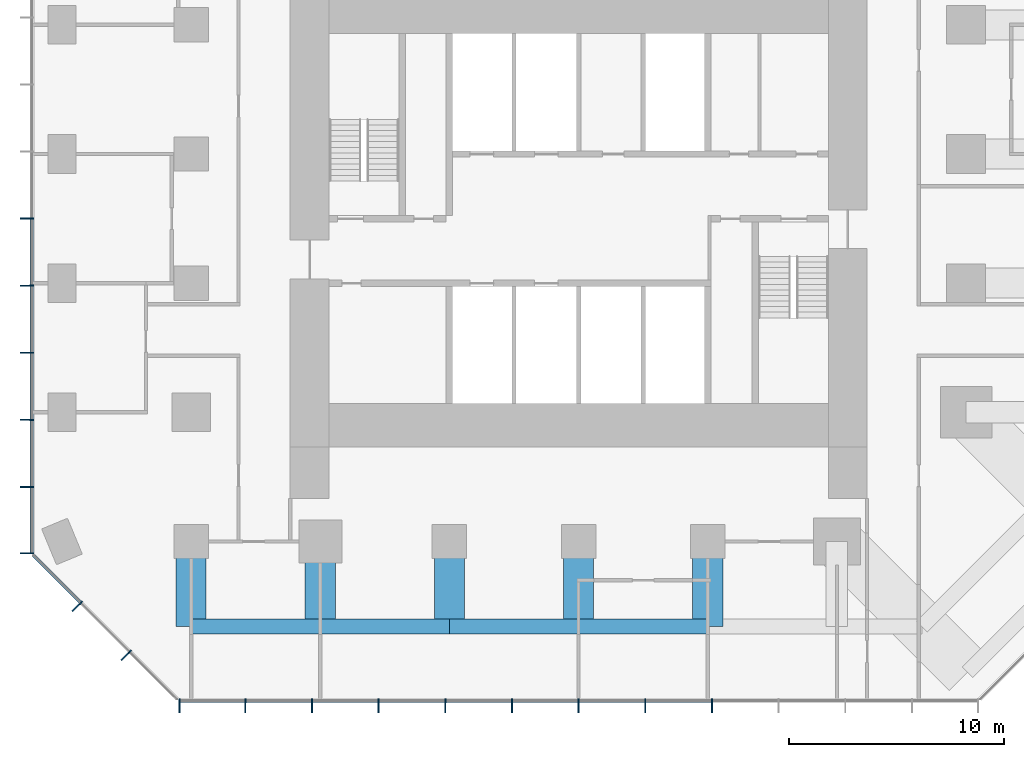
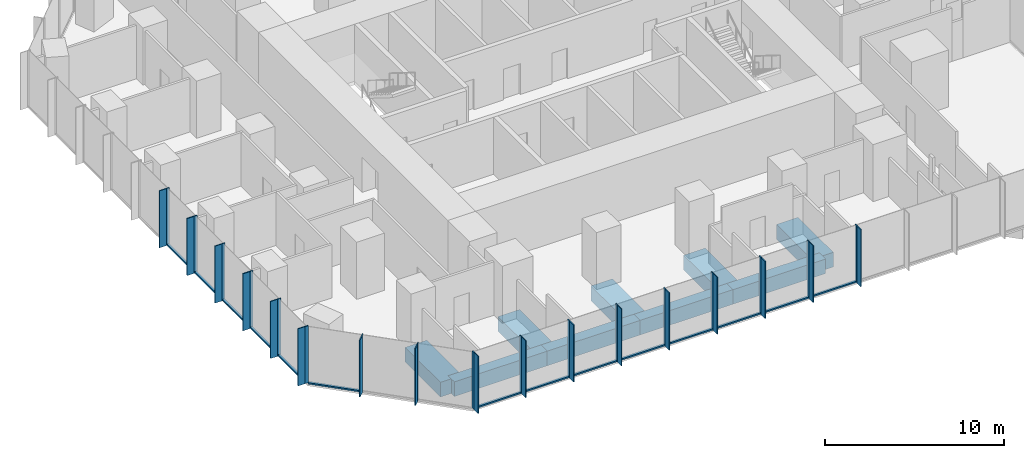
# One storey, part 2 of 11: 48 members, 9 beams, 3 elements without a shape of their own.
"""IFC4 building model written with IfcOpenShell, lengths in metres."""

from ifc_helpers import new_model, si_unit, direction, frame, origin, origin_2d, place, context, subcontext, project, spatial, rectangle, extrude, material, layer, layer_set, material_profile, profile_set, type_object, element, aggregate, save


model = new_model("IFC4")

# Units and contexts
model_context = context("Model", 3, precision=1e-05, world=origin(), true_north=direction((0.0, 1.0)))
body_context = subcontext(model_context, "Body", "Model", "MODEL_VIEW")
ifc_project = project(units=[si_unit("LENGTHUNIT", "METRE"), si_unit("AREAUNIT", "SQUARE_METRE"), si_unit("VOLUMEUNIT", "CUBIC_METRE"), si_unit("PLANEANGLEUNIT", "RADIAN"), si_unit("MASSUNIT", "GRAM", prefix="KILO")], contexts=[model_context])

# Site, building, storey
site_placement = place(None, origin())
site = spatial("IfcSite", under=ifc_project, at=site_placement, CompositionType="ELEMENT")
building_placement = place(site_placement, origin())
building = spatial("IfcBuilding", under=site, at=building_placement, Name="Highveld Stack Headquarters", CompositionType="ELEMENT")
storey_placement = place(building_placement, frame((0.0, 0.0, 144.5)))
storey = spatial("IfcBuildingStorey", under=building, at=storey_placement, Name="L35", CompositionType="ELEMENT", Elevation=144.5)

# Beams
ifc_material_1 = material(Name="Concrete C60/75", Category="concrete")
ifc_material_profile_1 = material_profile(ifc_material_1, rectangle(XDim=1.39990234375, YDim=1.0, at=origin_2d()), Name="RC 1400x1000")
ifc_profile_set_1 = profile_set([ifc_material_profile_1], Name="Concrete C60/75")
beam_type_1 = type_object("IfcBeamType", Name="CANTILEVER RIB RC 1400x1000", PredefinedType="USERDEFINED", material=ifc_profile_set_1)
for number, where, z_axis, x_axis, name in (
    (1, (-12.0, -12.0, -0.75), (0.0, -1.0, 0.0), (1.0, 0.0, 0.0), "Cantilever rib 4/C L35"),
    (2, (-6.0, -12.0, -0.75), (0.0, -1.0, 0.0), (1.0, 0.0, 0.0), "Cantilever rib 5/C L35"),
    (3, (0.0, -12.0, -0.75), (0.0, -1.0, 0.0), (1.0, 0.0, 0.0), "Cantilever rib 6/C L35"),
    (4, (6.0, -12.0, -0.75), (0.0, -1.0, 0.0), (1.0, 0.0, 0.0), "Cantilever rib 7/C L35"),
    (5, (12.0, -12.0, -0.75), (0.0, -1.0, 0.0), (1.0, 0.0, 0.0), "Cantilever rib 8/C L35"),
):
    element("IfcBeam", number, at=place(storey_placement, frame(where, z_axis=z_axis, x_axis=x_axis)), inside=storey, type_object=beam_type_1, Name=name, ObjectType="CANTILEVER RIB", PredefinedType="USERDEFINED", context=body_context, shape_type="SweptSolid", body=[
        extrude(rectangle(XDim=1.39990234375, YDim=1.0, at=origin_2d()), origin(), (0.0, 0.0, 1.0), 3.949951171875),
    ])

# Curtain wall, members
ifc_material_2 = material(Name="Aluminium bronze anodised", Category="aluminium")
ifc_layer_1 = layer(ifc_material_2, 0.199951171875)
ifc_layer_set_1 = layer_set([ifc_layer_1], Name="Aluminium bronze anodised")
curtain_wall_type_1 = type_object("IfcCurtainWallType", Name="CW1 TOWER UNITISED CURTAIN WALL", PredefinedType="NOTDEFINED", material=ifc_layer_set_1)
curtain_wall_1_placement = place(storey_placement, origin())
curtain_wall_1 = element("IfcCurtainWall", 6, at=curtain_wall_1_placement, inside=storey, type_object=curtain_wall_type_1, Name="Curtain wall CW1 L35 S", PredefinedType="NOTDEFINED")
ifc_material_3 = material(Name="Aluminium bronze anodised", Category="aluminium")
ifc_material_profile_2 = material_profile(ifc_material_3, rectangle(XDim=0.449951171875, YDim=0.06005859375, at=origin_2d()), Name="FIN 450x60")
ifc_profile_set_2 = profile_set([ifc_material_profile_2], Name="Aluminium bronze anodised")
member_type_1 = type_object("IfcMemberType", Name="CW1 BRONZE FIN 450x60", PredefinedType="USERDEFINED", material=ifc_profile_set_2)
member_1_placement = place(storey_placement, frame((-12.54736328125, -19.72509765625, 0.0), z_axis=(0.0, 0.0, 1.0), x_axis=(0.0, 1.0, 0.0)))
member_1 = element("IfcMember", 7, at=member_1_placement, type_object=member_type_1, Name="CW1 fin L35 1", ObjectType="FIN", PredefinedType="USERDEFINED", context=body_context, shape_type="SweptSolid", body=[
    extrude(rectangle(XDim=0.449951171875, YDim=0.06005859375, at=origin_2d()), origin(), (0.0, 0.0, 1.0), 3.89990234375),
])
member_2_placement = place(storey_placement, frame((-9.483154296875, -19.72509765625, 0.0), z_axis=(0.0, 0.0, 1.0), x_axis=(0.0, 1.0, 0.0)))
member_2 = element("IfcMember", 8, at=member_2_placement, type_object=member_type_1, Name="CW1 fin L35 2", ObjectType="FIN", PredefinedType="USERDEFINED", context=body_context, shape_type="SweptSolid", body=[
    extrude(rectangle(XDim=0.449951171875, YDim=0.06005859375, at=origin_2d()), origin(), (0.0, 0.0, 1.0), 3.89990234375),
])
member_3_placement = place(storey_placement, frame((-6.38671875, -19.72509765625, 0.0), z_axis=(0.0, 0.0, 1.0), x_axis=(0.0, 1.0, 0.0)))
member_3 = element("IfcMember", 9, at=member_3_placement, type_object=member_type_1, Name="CW1 fin L35 3", ObjectType="FIN", PredefinedType="USERDEFINED", context=body_context, shape_type="SweptSolid", body=[
    extrude(rectangle(XDim=0.449951171875, YDim=0.06005859375, at=origin_2d()), origin(), (0.0, 0.0, 1.0), 3.89990234375),
])
member_4_placement = place(storey_placement, frame((-3.2900390625, -19.72509765625, 0.0), z_axis=(0.0, 0.0, 1.0), x_axis=(0.0, 1.0, 0.0)))
member_4 = element("IfcMember", 10, at=member_4_placement, type_object=member_type_1, Name="CW1 fin L35 4", ObjectType="FIN", PredefinedType="USERDEFINED", context=body_context, shape_type="SweptSolid", body=[
    extrude(rectangle(XDim=0.449951171875, YDim=0.06005859375, at=origin_2d()), origin(), (0.0, 0.0, 1.0), 3.89990234375),
])
member_5_placement = place(storey_placement, frame((-0.193359375, -19.72509765625, 0.0), z_axis=(0.0, 0.0, 1.0), x_axis=(0.0, 1.0, 0.0)))
member_5 = element("IfcMember", 11, at=member_5_placement, type_object=member_type_1, Name="CW1 fin L35 5", ObjectType="FIN", PredefinedType="USERDEFINED", context=body_context, shape_type="SweptSolid", body=[
    extrude(rectangle(XDim=0.449951171875, YDim=0.06005859375, at=origin_2d()), origin(), (0.0, 0.0, 1.0), 3.89990234375),
])
member_6_placement = place(storey_placement, frame((2.9033203125, -19.72509765625, 0.0), z_axis=(0.0, 0.0, 1.0), x_axis=(0.0, 1.0, 0.0)))
member_6 = element("IfcMember", 12, at=member_6_placement, type_object=member_type_1, Name="CW1 fin L35 6", ObjectType="FIN", PredefinedType="USERDEFINED", context=body_context, shape_type="SweptSolid", body=[
    extrude(rectangle(XDim=0.449951171875, YDim=0.06005859375, at=origin_2d()), origin(), (0.0, 0.0, 1.0), 3.89990234375),
])
member_7_placement = place(storey_placement, frame((6.0, -19.72509765625, 0.0), z_axis=(0.0, 0.0, 1.0), x_axis=(0.0, 1.0, 0.0)))
member_7 = element("IfcMember", 13, at=member_7_placement, type_object=member_type_1, Name="CW1 fin L35 7", ObjectType="FIN", PredefinedType="USERDEFINED", context=body_context, shape_type="SweptSolid", body=[
    extrude(rectangle(XDim=0.449951171875, YDim=0.06005859375, at=origin_2d()), origin(), (0.0, 0.0, 1.0), 3.89990234375),
])
member_8_placement = place(storey_placement, frame((9.0966796875, -19.72509765625, 0.0), z_axis=(0.0, 0.0, 1.0), x_axis=(0.0, 1.0, 0.0)))
member_8 = element("IfcMember", 14, at=member_8_placement, type_object=member_type_1, Name="CW1 fin L35 8", ObjectType="FIN", PredefinedType="USERDEFINED", context=body_context, shape_type="SweptSolid", body=[
    extrude(rectangle(XDim=0.449951171875, YDim=0.06005859375, at=origin_2d()), origin(), (0.0, 0.0, 1.0), 3.89990234375),
])
member_9_placement = place(storey_placement, frame((12.193359375, -19.72509765625, 0.0), z_axis=(0.0, 0.0, 1.0), x_axis=(0.0, 1.0, 0.0)))
member_9 = element("IfcMember", 15, at=member_9_placement, type_object=member_type_1, Name="CW1 fin L35 9", ObjectType="FIN", PredefinedType="USERDEFINED", context=body_context, shape_type="SweptSolid", body=[
    extrude(rectangle(XDim=0.449951171875, YDim=0.06005859375, at=origin_2d()), origin(), (0.0, 0.0, 1.0), 3.89990234375),
])

curtain_wall_2_placement = place(storey_placement, origin())
curtain_wall_2 = element("IfcCurtainWall", 16, at=curtain_wall_2_placement, inside=storey, type_object=curtain_wall_type_1, Name="Curtain wall CW1 L35 W", PredefinedType="NOTDEFINED")
member_10_placement = place(storey_placement, frame((-19.72509765625, 3.0, 0.0), z_axis=(0.0, 0.0, 1.0), x_axis=(1.0, 0.0, 0.0)))
member_10 = element("IfcMember", 17, at=member_10_placement, type_object=member_type_1, Name="CW1 fin L35 6", ObjectType="FIN", PredefinedType="USERDEFINED", context=body_context, shape_type="SweptSolid", body=[
    extrude(rectangle(XDim=0.449951171875, YDim=0.06005859375, at=origin_2d()), origin(), (0.0, 0.0, 1.0), 3.89990234375),
])
member_11_placement = place(storey_placement, frame((-19.72509765625, -0.115966796875, 0.0), z_axis=(0.0, 0.0, 1.0), x_axis=(1.0, 0.0, 0.0)))
member_11 = element("IfcMember", 18, at=member_11_placement, type_object=member_type_1, Name="CW1 fin L35 7", ObjectType="FIN", PredefinedType="USERDEFINED", context=body_context, shape_type="SweptSolid", body=[
    extrude(rectangle(XDim=0.449951171875, YDim=0.06005859375, at=origin_2d()), origin(), (0.0, 0.0, 1.0), 3.89990234375),
])
member_12_placement = place(storey_placement, frame((-19.72509765625, -3.23193359375, 0.0), z_axis=(0.0, 0.0, 1.0), x_axis=(1.0, 0.0, 0.0)))
member_12 = element("IfcMember", 19, at=member_12_placement, type_object=member_type_1, Name="CW1 fin L35 8", ObjectType="FIN", PredefinedType="USERDEFINED", context=body_context, shape_type="SweptSolid", body=[
    extrude(rectangle(XDim=0.449951171875, YDim=0.06005859375, at=origin_2d()), origin(), (0.0, 0.0, 1.0), 3.89990234375),
])
member_13_placement = place(storey_placement, frame((-19.72509765625, -6.347900390625, 0.0), z_axis=(0.0, 0.0, 1.0), x_axis=(1.0, 0.0, 0.0)))
member_13 = element("IfcMember", 20, at=member_13_placement, type_object=member_type_1, Name="CW1 fin L35 9", ObjectType="FIN", PredefinedType="USERDEFINED", context=body_context, shape_type="SweptSolid", body=[
    extrude(rectangle(XDim=0.449951171875, YDim=0.06005859375, at=origin_2d()), origin(), (0.0, 0.0, 1.0), 3.89990234375),
])
member_14_placement = place(storey_placement, frame((-19.72509765625, -9.4638671875, 0.0), z_axis=(0.0, 0.0, 1.0), x_axis=(1.0, 0.0, 0.0)))
member_14 = element("IfcMember", 21, at=member_14_placement, type_object=member_type_1, Name="CW1 fin L35 10", ObjectType="FIN", PredefinedType="USERDEFINED", context=body_context, shape_type="SweptSolid", body=[
    extrude(rectangle(XDim=0.449951171875, YDim=0.06005859375, at=origin_2d()), origin(), (0.0, 0.0, 1.0), 3.89990234375),
])
member_15_placement = place(storey_placement, frame((-19.72509765625, -12.54736328125, 0.0), z_axis=(0.0, 0.0, 1.0), x_axis=(1.0, 0.0, 0.0)))
member_15 = element("IfcMember", 22, at=member_15_placement, type_object=member_type_1, Name="CW1 fin L35 11", ObjectType="FIN", PredefinedType="USERDEFINED", context=body_context, shape_type="SweptSolid", body=[
    extrude(rectangle(XDim=0.449951171875, YDim=0.06005859375, at=origin_2d()), origin(), (0.0, 0.0, 1.0), 3.89990234375),
])

# Member
ifc_material_4 = material(Name="Aluminium bronze anodised", Category="aluminium")
ifc_material_profile_3 = material_profile(ifc_material_4, rectangle(XDim=0.199951171875, YDim=0.06494140625, at=origin_2d()), Name="CW1 MULLION 65x200")
ifc_profile_set_3 = profile_set([ifc_material_profile_3], Name="Aluminium bronze anodised")
member_type_2 = type_object("IfcMemberType", Name="CW1 MULLION 65x200", PredefinedType="MULLION", material=ifc_profile_set_3)
member_16_placement = place(storey_placement, frame((-12.54736328125, -19.39990234375, 0.0), z_axis=(0.0, 0.0, 1.0), x_axis=(0.0, 1.0, 0.0)))
member_16 = element("IfcMember", 23, at=member_16_placement, type_object=member_type_2, Name="CW1 mullion L35 1", PredefinedType="MULLION", context=body_context, shape_type="SweptSolid", body=[
    extrude(rectangle(XDim=0.199951171875, YDim=0.06494140625, at=origin_2d()), origin(), (0.0, 0.0, 1.0), 3.89990234375),
])

member_17_placement = place(storey_placement, frame((-9.483154296875, -19.39990234375, 0.0), z_axis=(0.0, 0.0, 1.0), x_axis=(0.0, 1.0, 0.0)))
member_17 = element("IfcMember", 24, at=member_17_placement, type_object=member_type_2, Name="CW1 mullion L35 2", PredefinedType="MULLION", context=body_context, shape_type="SweptSolid", body=[
    extrude(rectangle(XDim=0.199951171875, YDim=0.06494140625, at=origin_2d()), origin(), (0.0, 0.0, 1.0), 3.89990234375),
])

member_18_placement = place(storey_placement, frame((-6.38671875, -19.39990234375, 0.0), z_axis=(0.0, 0.0, 1.0), x_axis=(0.0, 1.0, 0.0)))
member_18 = element("IfcMember", 25, at=member_18_placement, type_object=member_type_2, Name="CW1 mullion L35 3", PredefinedType="MULLION", context=body_context, shape_type="SweptSolid", body=[
    extrude(rectangle(XDim=0.199951171875, YDim=0.06494140625, at=origin_2d()), origin(), (0.0, 0.0, 1.0), 3.89990234375),
])

member_19_placement = place(storey_placement, frame((-3.2900390625, -19.39990234375, 0.0), z_axis=(0.0, 0.0, 1.0), x_axis=(0.0, 1.0, 0.0)))
member_19 = element("IfcMember", 26, at=member_19_placement, type_object=member_type_2, Name="CW1 mullion L35 4", PredefinedType="MULLION", context=body_context, shape_type="SweptSolid", body=[
    extrude(rectangle(XDim=0.199951171875, YDim=0.06494140625, at=origin_2d()), origin(), (0.0, 0.0, 1.0), 3.89990234375),
])

member_20_placement = place(storey_placement, frame((-0.193359375, -19.39990234375, 0.0), z_axis=(0.0, 0.0, 1.0), x_axis=(0.0, 1.0, 0.0)))
member_20 = element("IfcMember", 27, at=member_20_placement, type_object=member_type_2, Name="CW1 mullion L35 5", PredefinedType="MULLION", context=body_context, shape_type="SweptSolid", body=[
    extrude(rectangle(XDim=0.199951171875, YDim=0.06494140625, at=origin_2d()), origin(), (0.0, 0.0, 1.0), 3.89990234375),
])

member_21_placement = place(storey_placement, frame((2.9033203125, -19.39990234375, 0.0), z_axis=(0.0, 0.0, 1.0), x_axis=(0.0, 1.0, 0.0)))
member_21 = element("IfcMember", 28, at=member_21_placement, type_object=member_type_2, Name="CW1 mullion L35 6", PredefinedType="MULLION", context=body_context, shape_type="SweptSolid", body=[
    extrude(rectangle(XDim=0.199951171875, YDim=0.06494140625, at=origin_2d()), origin(), (0.0, 0.0, 1.0), 3.89990234375),
])

member_22_placement = place(storey_placement, frame((6.0, -19.39990234375, 0.0), z_axis=(0.0, 0.0, 1.0), x_axis=(0.0, 1.0, 0.0)))
member_22 = element("IfcMember", 29, at=member_22_placement, type_object=member_type_2, Name="CW1 mullion L35 7", PredefinedType="MULLION", context=body_context, shape_type="SweptSolid", body=[
    extrude(rectangle(XDim=0.199951171875, YDim=0.06494140625, at=origin_2d()), origin(), (0.0, 0.0, 1.0), 3.89990234375),
])

member_23_placement = place(storey_placement, frame((9.0966796875, -19.39990234375, 0.0), z_axis=(0.0, 0.0, 1.0), x_axis=(0.0, 1.0, 0.0)))
member_23 = element("IfcMember", 30, at=member_23_placement, type_object=member_type_2, Name="CW1 mullion L35 8", PredefinedType="MULLION", context=body_context, shape_type="SweptSolid", body=[
    extrude(rectangle(XDim=0.199951171875, YDim=0.06494140625, at=origin_2d()), origin(), (0.0, 0.0, 1.0), 3.89990234375),
])

member_24_placement = place(storey_placement, frame((12.193359375, -19.39990234375, 0.0), z_axis=(0.0, 0.0, 1.0), x_axis=(0.0, 1.0, 0.0)))
member_24 = element("IfcMember", 31, at=member_24_placement, type_object=member_type_2, Name="CW1 mullion L35 9", PredefinedType="MULLION", context=body_context, shape_type="SweptSolid", body=[
    extrude(rectangle(XDim=0.199951171875, YDim=0.06494140625, at=origin_2d()), origin(), (0.0, 0.0, 1.0), 3.89990234375),
])

member_25_placement = place(storey_placement, frame((-19.39990234375, 3.0, 0.0), z_axis=(0.0, 0.0, 1.0), x_axis=(1.0, 0.0, 0.0)))
member_25 = element("IfcMember", 32, at=member_25_placement, type_object=member_type_2, Name="CW1 mullion L35 6", PredefinedType="MULLION", context=body_context, shape_type="SweptSolid", body=[
    extrude(rectangle(XDim=0.199951171875, YDim=0.06494140625, at=origin_2d()), origin(), (0.0, 0.0, 1.0), 3.89990234375),
])

member_26_placement = place(storey_placement, frame((-19.39990234375, -0.115966796875, 0.0), z_axis=(0.0, 0.0, 1.0), x_axis=(1.0, 0.0, 0.0)))
member_26 = element("IfcMember", 33, at=member_26_placement, type_object=member_type_2, Name="CW1 mullion L35 7", PredefinedType="MULLION", context=body_context, shape_type="SweptSolid", body=[
    extrude(rectangle(XDim=0.199951171875, YDim=0.06494140625, at=origin_2d()), origin(), (0.0, 0.0, 1.0), 3.89990234375),
])

member_27_placement = place(storey_placement, frame((-19.39990234375, -3.23193359375, 0.0), z_axis=(0.0, 0.0, 1.0), x_axis=(1.0, 0.0, 0.0)))
member_27 = element("IfcMember", 34, at=member_27_placement, type_object=member_type_2, Name="CW1 mullion L35 8", PredefinedType="MULLION", context=body_context, shape_type="SweptSolid", body=[
    extrude(rectangle(XDim=0.199951171875, YDim=0.06494140625, at=origin_2d()), origin(), (0.0, 0.0, 1.0), 3.89990234375),
])

member_28_placement = place(storey_placement, frame((-19.39990234375, -6.347900390625, 0.0), z_axis=(0.0, 0.0, 1.0), x_axis=(1.0, 0.0, 0.0)))
member_28 = element("IfcMember", 35, at=member_28_placement, type_object=member_type_2, Name="CW1 mullion L35 9", PredefinedType="MULLION", context=body_context, shape_type="SweptSolid", body=[
    extrude(rectangle(XDim=0.199951171875, YDim=0.06494140625, at=origin_2d()), origin(), (0.0, 0.0, 1.0), 3.89990234375),
])

member_29_placement = place(storey_placement, frame((-19.39990234375, -9.4638671875, 0.0), z_axis=(0.0, 0.0, 1.0), x_axis=(1.0, 0.0, 0.0)))
member_29 = element("IfcMember", 36, at=member_29_placement, type_object=member_type_2, Name="CW1 mullion L35 10", PredefinedType="MULLION", context=body_context, shape_type="SweptSolid", body=[
    extrude(rectangle(XDim=0.199951171875, YDim=0.06494140625, at=origin_2d()), origin(), (0.0, 0.0, 1.0), 3.89990234375),
])

member_30_placement = place(storey_placement, frame((-19.39990234375, -12.54736328125, 0.0), z_axis=(0.0, 0.0, 1.0), x_axis=(1.0, 0.0, 0.0)))
member_30 = element("IfcMember", 37, at=member_30_placement, type_object=member_type_2, Name="CW1 mullion L35 11", PredefinedType="MULLION", context=body_context, shape_type="SweptSolid", body=[
    extrude(rectangle(XDim=0.199951171875, YDim=0.06494140625, at=origin_2d()), origin(), (0.0, 0.0, 1.0), 3.89990234375),
])

ifc_material_5 = material(Name="Aluminium bronze anodised", Category="aluminium")
ifc_material_profile_4 = material_profile(ifc_material_5, rectangle(XDim=0.14990234375, YDim=0.10009765625, at=origin_2d()), Name="CW1 TRANSOM 150x100")
ifc_profile_set_4 = profile_set([ifc_material_profile_4], Name="Aluminium bronze anodised")
member_type_3 = type_object("IfcMemberType", Name="CW1 STACK TRANSOM 150x100", PredefinedType="USERDEFINED", material=ifc_profile_set_4)
member_31_placement = place(storey_placement, frame((-12.514892578125, -19.39990234375, 0.050048828125), z_axis=(1.0, 0.0, 0.0), x_axis=(0.0, 1.0, 0.0)))
member_31 = element("IfcMember", 38, at=member_31_placement, type_object=member_type_3, Name="CW1 transom L35 1.1", ObjectType="TRANSOM", PredefinedType="USERDEFINED", context=body_context, shape_type="SweptSolid", body=[
    extrude(rectangle(XDim=0.14990234375, YDim=0.10009765625, at=origin_2d()), origin(), (0.0, 0.0, 1.0), 2.9990234375),
])

member_32_placement = place(storey_placement, frame((-9.45068359375, -19.39990234375, 0.050048828125), z_axis=(1.0, 0.0, 0.0), x_axis=(0.0, 1.0, 0.0)))
member_32 = element("IfcMember", 39, at=member_32_placement, type_object=member_type_3, Name="CW1 transom L35 2.1", ObjectType="TRANSOM", PredefinedType="USERDEFINED", context=body_context, shape_type="SweptSolid", body=[
    extrude(rectangle(XDim=0.14990234375, YDim=0.10009765625, at=origin_2d()), origin(), (0.0, 0.0, 1.0), 3.031494140625),
])

member_33_placement = place(storey_placement, frame((-6.35400390625, -19.39990234375, 0.050048828125), z_axis=(1.0, 0.0, 0.0), x_axis=(0.0, 1.0, 0.0)))
member_33 = element("IfcMember", 40, at=member_33_placement, type_object=member_type_3, Name="CW1 transom L35 3.1", ObjectType="TRANSOM", PredefinedType="USERDEFINED", context=body_context, shape_type="SweptSolid", body=[
    extrude(rectangle(XDim=0.14990234375, YDim=0.10009765625, at=origin_2d()), origin(), (0.0, 0.0, 1.0), 3.031494140625),
])

member_34_placement = place(storey_placement, frame((-3.257568359375, -19.39990234375, 0.050048828125), z_axis=(1.0, 0.0, 0.0), x_axis=(0.0, 1.0, 0.0)))
member_34 = element("IfcMember", 41, at=member_34_placement, type_object=member_type_3, Name="CW1 transom L35 4.1", ObjectType="TRANSOM", PredefinedType="USERDEFINED", context=body_context, shape_type="SweptSolid", body=[
    extrude(rectangle(XDim=0.14990234375, YDim=0.10009765625, at=origin_2d()), origin(), (0.0, 0.0, 1.0), 3.03173828125),
])

member_35_placement = place(storey_placement, frame((-0.160888671875, -19.39990234375, 0.050048828125), z_axis=(1.0, 0.0, 0.0), x_axis=(0.0, 1.0, 0.0)))
member_35 = element("IfcMember", 42, at=member_35_placement, type_object=member_type_3, Name="CW1 transom L35 5.1", ObjectType="TRANSOM", PredefinedType="USERDEFINED", context=body_context, shape_type="SweptSolid", body=[
    extrude(rectangle(XDim=0.14990234375, YDim=0.10009765625, at=origin_2d()), origin(), (0.0, 0.0, 1.0), 3.03173828125),
])

member_36_placement = place(storey_placement, frame((2.935791015625, -19.39990234375, 0.050048828125), z_axis=(1.0, 0.0, 0.0), x_axis=(0.0, 1.0, 0.0)))
member_36 = element("IfcMember", 43, at=member_36_placement, type_object=member_type_3, Name="CW1 transom L35 6.1", ObjectType="TRANSOM", PredefinedType="USERDEFINED", context=body_context, shape_type="SweptSolid", body=[
    extrude(rectangle(XDim=0.14990234375, YDim=0.10009765625, at=origin_2d()), origin(), (0.0, 0.0, 1.0), 3.03173828125),
])

member_37_placement = place(storey_placement, frame((6.032470703125, -19.39990234375, 0.050048828125), z_axis=(1.0, 0.0, 0.0), x_axis=(0.0, 1.0, 0.0)))
member_37 = element("IfcMember", 44, at=member_37_placement, type_object=member_type_3, Name="CW1 transom L35 7.1", ObjectType="TRANSOM", PredefinedType="USERDEFINED", context=body_context, shape_type="SweptSolid", body=[
    extrude(rectangle(XDim=0.14990234375, YDim=0.10009765625, at=origin_2d()), origin(), (0.0, 0.0, 1.0), 3.03173828125),
])

member_38_placement = place(storey_placement, frame((9.129150390625, -19.39990234375, 0.050048828125), z_axis=(1.0, 0.0, 0.0), x_axis=(0.0, 1.0, 0.0)))
member_38 = element("IfcMember", 45, at=member_38_placement, type_object=member_type_3, Name="CW1 transom L35 8.1", ObjectType="TRANSOM", PredefinedType="USERDEFINED", context=body_context, shape_type="SweptSolid", body=[
    extrude(rectangle(XDim=0.14990234375, YDim=0.10009765625, at=origin_2d()), origin(), (0.0, 0.0, 1.0), 3.03173828125),
])

aggregate(curtain_wall_1, [member_16, member_1, member_17, member_2, member_18, member_3, member_19, member_4, member_20, member_5, member_21, member_6, member_22, member_7, member_23, member_8, member_24, member_9, member_31, member_32, member_33, member_34, member_35, member_36, member_37, member_38])

member_39_placement = place(storey_placement, frame((-19.39990234375, 2.967529296875, 0.050048828125), z_axis=(0.0, -1.0, 0.0), x_axis=(1.0, 0.0, 0.0)))
member_39 = element("IfcMember", 46, at=member_39_placement, type_object=member_type_3, Name="CW1 transom L35 6.1", ObjectType="TRANSOM", PredefinedType="USERDEFINED", context=body_context, shape_type="SweptSolid", body=[
    extrude(rectangle(XDim=0.14990234375, YDim=0.10009765625, at=origin_2d()), origin(), (0.0, 0.0, 1.0), 3.051025390625),
])

member_40_placement = place(storey_placement, frame((-19.39990234375, -0.1484375, 0.050048828125), z_axis=(0.0, -1.0, 0.0), x_axis=(1.0, 0.0, 0.0)))
member_40 = element("IfcMember", 47, at=member_40_placement, type_object=member_type_3, Name="CW1 transom L35 7.1", ObjectType="TRANSOM", PredefinedType="USERDEFINED", context=body_context, shape_type="SweptSolid", body=[
    extrude(rectangle(XDim=0.14990234375, YDim=0.10009765625, at=origin_2d()), origin(), (0.0, 0.0, 1.0), 3.051025390625),
])

member_41_placement = place(storey_placement, frame((-19.39990234375, -3.264404296875, 0.050048828125), z_axis=(0.0, -1.0, 0.0), x_axis=(1.0, 0.0, 0.0)))
member_41 = element("IfcMember", 48, at=member_41_placement, type_object=member_type_3, Name="CW1 transom L35 8.1", ObjectType="TRANSOM", PredefinedType="USERDEFINED", context=body_context, shape_type="SweptSolid", body=[
    extrude(rectangle(XDim=0.14990234375, YDim=0.10009765625, at=origin_2d()), origin(), (0.0, 0.0, 1.0), 3.051025390625),
])

member_42_placement = place(storey_placement, frame((-19.39990234375, -6.38037109375, 0.050048828125), z_axis=(0.0, -1.0, 0.0), x_axis=(1.0, 0.0, 0.0)))
member_42 = element("IfcMember", 49, at=member_42_placement, type_object=member_type_3, Name="CW1 transom L35 9.1", ObjectType="TRANSOM", PredefinedType="USERDEFINED", context=body_context, shape_type="SweptSolid", body=[
    extrude(rectangle(XDim=0.14990234375, YDim=0.10009765625, at=origin_2d()), origin(), (0.0, 0.0, 1.0), 3.051025390625),
])

member_43_placement = place(storey_placement, frame((-19.39990234375, -9.496337890625, 0.050048828125), z_axis=(0.0, -1.0, 0.0), x_axis=(1.0, 0.0, 0.0)))
member_43 = element("IfcMember", 50, at=member_43_placement, type_object=member_type_3, Name="CW1 transom L35 10.1", ObjectType="TRANSOM", PredefinedType="USERDEFINED", context=body_context, shape_type="SweptSolid", body=[
    extrude(rectangle(XDim=0.14990234375, YDim=0.10009765625, at=origin_2d()), origin(), (0.0, 0.0, 1.0), 3.0185546875),
])

aggregate(curtain_wall_2, [member_25, member_10, member_26, member_11, member_27, member_12, member_28, member_13, member_29, member_14, member_30, member_15, member_39, member_40, member_41, member_42, member_43])

# Curtain wall, members
ifc_material_6 = material(Name="Aluminium bronze anodised", Category="aluminium")
ifc_layer_2 = layer(ifc_material_6, 0.199951171875)
ifc_layer_set_2 = layer_set([ifc_layer_2], Name="Aluminium bronze anodised")
curtain_wall_type_2 = type_object("IfcCurtainWallType", Name="CW2 TOWER CHAMFER UNITISED CURTAIN WALL", PredefinedType="NOTDEFINED", material=ifc_layer_set_2)
curtain_wall_3_placement = place(storey_placement, origin())
curtain_wall_3 = element("IfcCurtainWall", 51, at=curtain_wall_3_placement, inside=storey, type_object=curtain_wall_type_2, Name="Curtain wall CW2 L35 SW", PredefinedType="NOTDEFINED")
ifc_material_7 = material(Name="Aluminium bronze anodised", Category="aluminium")
ifc_material_profile_5 = material_profile(ifc_material_7, rectangle(XDim=0.449951171875, YDim=0.06005859375, at=origin_2d()), Name="FIN 450x60")
ifc_profile_set_5 = profile_set([ifc_material_profile_5], Name="Aluminium bronze anodised")
member_type_4 = type_object("IfcMemberType", Name="CW2 BRONZE FIN 450x60", PredefinedType="USERDEFINED", material=ifc_profile_set_5)
member_44_placement = place(storey_placement, frame((-17.3564453125, -15.0830078125, 0.0), z_axis=(0.0, 0.0, 1.0), x_axis=(0.707106781187, 0.707106781187, 0.0)))
member_44 = element("IfcMember", 52, at=member_44_placement, type_object=member_type_4, Name="CW2 fin L35 1", ObjectType="FIN", PredefinedType="USERDEFINED", context=body_context, shape_type="SweptSolid", body=[
    extrude(rectangle(XDim=0.449951171875, YDim=0.06005859375, at=origin_2d()), origin(), (0.0, 0.0, 1.0), 3.89990234375),
])
member_45_placement = place(storey_placement, frame((-15.0830078125, -17.3564453125, 0.0), z_axis=(0.0, 0.0, 1.0), x_axis=(0.707106781187, 0.707106781187, 0.0)))
member_45 = element("IfcMember", 53, at=member_45_placement, type_object=member_type_4, Name="CW2 fin L35 2", ObjectType="FIN", PredefinedType="USERDEFINED", context=body_context, shape_type="SweptSolid", body=[
    extrude(rectangle(XDim=0.449951171875, YDim=0.06005859375, at=origin_2d()), origin(), (0.0, 0.0, 1.0), 3.89990234375),
])
ifc_material_8 = material(Name="Aluminium bronze anodised", Category="aluminium")
ifc_material_profile_6 = material_profile(ifc_material_8, rectangle(XDim=0.199951171875, YDim=0.06494140625, at=origin_2d()), Name="CW2 MULLION 65x200")
ifc_profile_set_6 = profile_set([ifc_material_profile_6], Name="Aluminium bronze anodised")
member_type_5 = type_object("IfcMemberType", Name="CW2 MULLION 65x200", PredefinedType="MULLION", material=ifc_profile_set_6)
member_46_placement = place(storey_placement, frame((-17.126708984375, -14.853271484375, 0.0), z_axis=(0.0, 0.0, 1.0), x_axis=(0.707106781187, 0.707106781187, 0.0)))
member_46 = element("IfcMember", 54, at=member_46_placement, type_object=member_type_5, Name="CW2 mullion L35 1", PredefinedType="MULLION", context=body_context, shape_type="SweptSolid", body=[
    extrude(rectangle(XDim=0.199951171875, YDim=0.06494140625, at=origin_2d()), origin(), (0.0, 0.0, 1.0), 3.89990234375),
])
member_47_placement = place(storey_placement, frame((-14.853271484375, -17.126708984375, 0.0), z_axis=(0.0, 0.0, 1.0), x_axis=(0.707106781187, 0.707106781187, 0.0)))
member_47 = element("IfcMember", 55, at=member_47_placement, type_object=member_type_5, Name="CW2 mullion L35 2", PredefinedType="MULLION", context=body_context, shape_type="SweptSolid", body=[
    extrude(rectangle(XDim=0.199951171875, YDim=0.06494140625, at=origin_2d()), origin(), (0.0, 0.0, 1.0), 3.89990234375),
])
ifc_material_9 = material(Name="Aluminium bronze anodised", Category="aluminium")
ifc_material_profile_7 = material_profile(ifc_material_9, rectangle(XDim=0.14990234375, YDim=0.10009765625, at=origin_2d()), Name="CW2 TRANSOM 150x100")
ifc_profile_set_7 = profile_set([ifc_material_profile_7], Name="Aluminium bronze anodised")
member_type_6 = type_object("IfcMemberType", Name="CW2 STACK TRANSOM 150x100", PredefinedType="USERDEFINED", material=ifc_profile_set_7)
member_48_placement = place(storey_placement, frame((-19.329345703125, -12.650634765625, 0.050048828125), z_axis=(0.707106781187, -0.707106781187, 0.0), x_axis=(0.707106781187, 0.707106781187, 0.0)))
member_48 = element("IfcMember", 56, at=member_48_placement, type_object=member_type_6, Name="CW2 transom L35 1.1", ObjectType="TRANSOM", PredefinedType="USERDEFINED", context=body_context, shape_type="SweptSolid", body=[
    extrude(rectangle(XDim=0.14990234375, YDim=0.10009765625, at=origin_2d()), origin(), (0.0, 0.0, 1.0), 3.08251953125),
])
aggregate(curtain_wall_3, [member_46, member_44, member_47, member_45, member_48])

# Beams
ifc_material_10 = material(Name="Concrete C60/75", Category="concrete")
ifc_material_profile_8 = material_profile(ifc_material_10, rectangle(XDim=0.699951171875, YDim=1.0, at=origin_2d()), Name="RC 700x1000")
ifc_profile_set_8 = profile_set([ifc_material_profile_8], Name="Concrete C60/75")
beam_type_2 = type_object("IfcBeamType", Name="RIB TIP BEAM RC 700x1000", PredefinedType="SPANDREL", material=ifc_profile_set_8)
for number, where, z_axis, x_axis, name in (
    (57, (-12.0, -15.949951171875, -0.75), (1.0, 0.0, 0.0), (0.0, 1.0, 0.0), "Rib tip beam 4/C to 5/C L35"),
    (58, (-6.0, -15.949951171875, -0.75), (1.0, 0.0, 0.0), (0.0, 1.0, 0.0), "Rib tip beam 5/C to 6/C L35"),
    (59, (0.0, -15.949951171875, -0.75), (1.0, 0.0, 0.0), (0.0, 1.0, 0.0), "Rib tip beam 6/C to 7/C L35"),
    (60, (6.0, -15.949951171875, -0.75), (1.0, 0.0, 0.0), (0.0, 1.0, 0.0), "Rib tip beam 7/C to 8/C L35"),
):
    element("IfcBeam", number, at=place(storey_placement, frame(where, z_axis=z_axis, x_axis=x_axis)), inside=storey, type_object=beam_type_2, Name=name, PredefinedType="SPANDREL", context=body_context, shape_type="SweptSolid", body=[
        extrude(rectangle(XDim=0.699951171875, YDim=1.0, at=origin_2d()), origin(), (0.0, 0.0, 1.0), 6.0),
    ])

save(model, "model.ifc")
